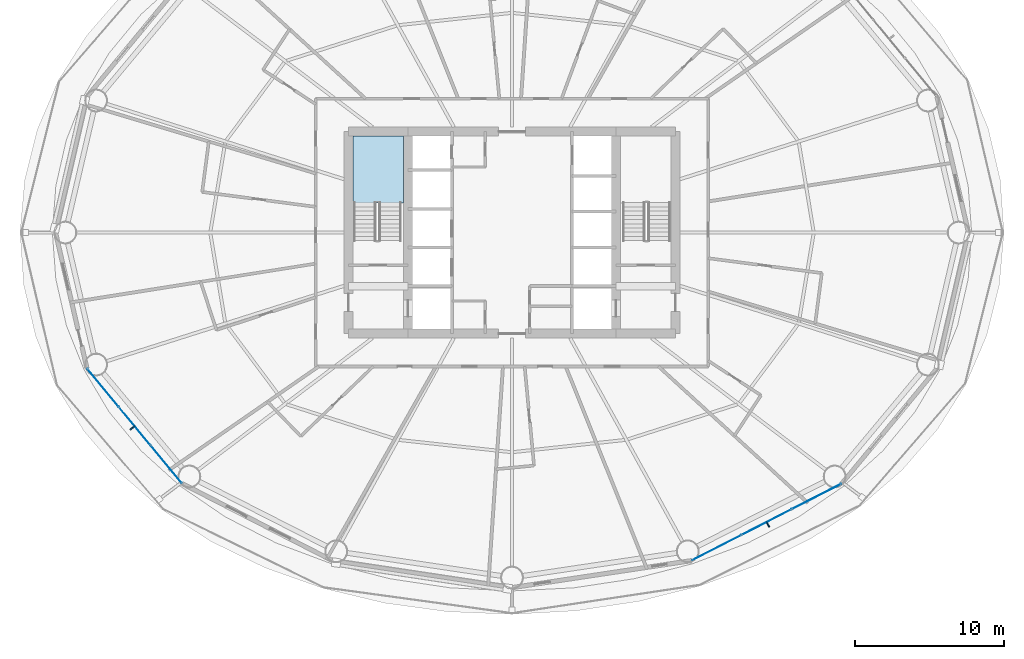
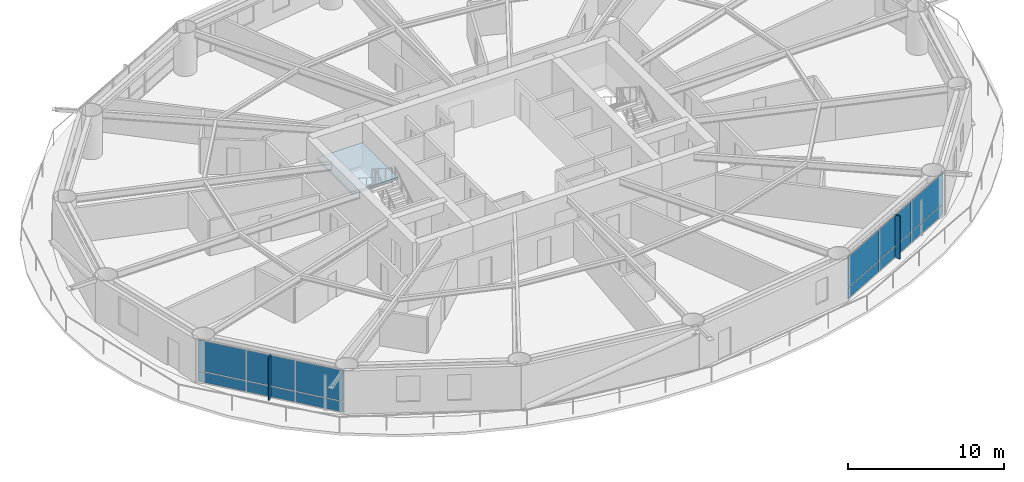
# One storey, part 18 of 28: 14 plates, 1 slab, 3 elements without a shape of their own.
"""IFC4 building model written with IfcOpenShell, lengths in metres."""

from ifc_helpers import new_model, si_unit, direction, frame, origin, origin_2d, place, context, subcontext, project, spatial, polyline, rectangle, outline, extrude, material, layer, layer_set, type_object, element, aggregate, save


model = new_model("IFC4")

# Units and contexts
model_context = context("Model", 3, precision=1e-05, world=origin(), true_north=direction((0.0, 1.0)))
body_context = subcontext(model_context, "Body", "Model", "MODEL_VIEW")
ifc_project = project(units=[si_unit("LENGTHUNIT", "METRE"), si_unit("AREAUNIT", "SQUARE_METRE"), si_unit("VOLUMEUNIT", "CUBIC_METRE"), si_unit("PLANEANGLEUNIT", "RADIAN"), si_unit("MASSUNIT", "GRAM", prefix="KILO")], contexts=[model_context])

# Site, building, storey
site_placement = place(None, origin())
site = spatial("IfcSite", under=ifc_project, at=site_placement, CompositionType="ELEMENT")
building_placement = place(site_placement, origin())
building = spatial("IfcBuilding", under=site, at=building_placement, Name="Sarneth Arch Tower", CompositionType="ELEMENT")
storey_placement = place(building_placement, frame((0.0, 0.0, 67.800048828125)))
storey = spatial("IfcBuildingStorey", under=building, at=storey_placement, Name="L16", CompositionType="ELEMENT", Elevation=67.800048828125)

# Curtain wall, plates
ifc_material_1 = material(Name="Anodised aluminium Type AA25 and solar-control low-e laminated IGU", Category="aluminium")
ifc_layer_1 = layer(ifc_material_1, 0.159912109375)
ifc_layer_set_1 = layer_set([ifc_layer_1], Name="Anodised aluminium Type AA25 and solar-control low-e laminated IGU")
curtain_wall_type = type_object("IfcCurtainWallType", Name="CW-HOTEL-LOW", PredefinedType="NOTDEFINED", material=ifc_layer_set_1)
curtain_wall_1_placement = place(storey_placement, origin())
curtain_wall_1 = element("IfcCurtainWall", 1, at=curtain_wall_1_placement, inside=storey, type_object=curtain_wall_type, Name="L16 Unitised curtain wall facet 10", PredefinedType="NOTDEFINED")
ifc_material_2 = material(Name="Solar-control low-e laminated IGU", Category="glass")
ifc_layer_2 = layer(ifc_material_2, 0.028076171875)
ifc_layer_set_2 = layer_set([ifc_layer_2], Name="Solar-control low-e laminated IGU")
plate_type_1 = type_object("IfcPlateType", Name="CW-PANEL", PredefinedType="CURTAIN_PANEL", material=ifc_layer_set_2)
plate_1_placement = place(storey_placement, frame((20.496337890625, 31.558837890625, 0.059814453125), z_axis=(0.0, 0.0, 1.0), x_axis=(0.637291340827, -0.770622960278, 0.0)))
plate_1 = element("IfcPlate", 2, at=plate_1_placement, type_object=plate_type_1, Name="Curtain wall glazed vision pane CW-L16-F10/P00-00", PredefinedType="CURTAIN_PANEL", context=body_context, shape_type="SweptSolid", body=[
    extrude(rectangle(XDim=3.260986328125, YDim=0.028076171875, at=origin_2d()), origin(), (0.0, 0.0, 1.0), 0.81005859375),
])
plate_2_placement = place(storey_placement, frame((20.496337890625, 31.558837890625, 0.93017578125), z_axis=(0.0, 0.0, 1.0), x_axis=(0.637291340827, -0.770622960278, 0.0)))
plate_2 = element("IfcPlate", 3, at=plate_2_placement, type_object=plate_type_1, Name="Curtain wall glazed vision pane CW-L16-F10/P00-01", PredefinedType="CURTAIN_PANEL", context=body_context, shape_type="SweptSolid", body=[
    extrude(rectangle(XDim=3.260986328125, YDim=0.028076171875, at=origin_2d()), origin(), (0.0, 0.0, 1.0), 2.389892578125),
])
plate_3_placement = place(storey_placement, frame((22.62255859375, 28.98779296875, 0.059814453125), z_axis=(0.0, 0.0, 1.0), x_axis=(0.637291340827, -0.770622960278, 0.0)))
plate_3 = element("IfcPlate", 4, at=plate_3_placement, type_object=plate_type_1, Name="Curtain wall glazed vision pane CW-L16-F10/P01-00", PredefinedType="CURTAIN_PANEL", context=body_context, shape_type="SweptSolid", body=[
    extrude(rectangle(XDim=3.291015625, YDim=0.028076171875, at=origin_2d()), origin(), (0.0, 0.0, 1.0), 0.81005859375),
])
plate_4_placement = place(storey_placement, frame((22.62255859375, 28.98779296875, 0.93017578125), z_axis=(0.0, 0.0, 1.0), x_axis=(0.637291340827, -0.770622960278, 0.0)))
plate_4 = element("IfcPlate", 5, at=plate_4_placement, type_object=plate_type_1, Name="Curtain wall glazed vision pane CW-L16-F10/P01-01", PredefinedType="CURTAIN_PANEL", context=body_context, shape_type="SweptSolid", body=[
    extrude(rectangle(XDim=3.291015625, YDim=0.028076171875, at=origin_2d()), origin(), (0.0, 0.0, 1.0), 2.389892578125),
])
plate_5_placement = place(storey_placement, frame((24.74853515625, 26.4169921875, 0.059814453125), z_axis=(0.0, 0.0, 1.0), x_axis=(0.637291340827, -0.770622960278, 0.0)))
plate_5 = element("IfcPlate", 6, at=plate_5_placement, type_object=plate_type_1, Name="Curtain wall glazed vision pane CW-L16-F10/P02-00", PredefinedType="CURTAIN_PANEL", context=body_context, shape_type="SweptSolid", body=[
    extrude(rectangle(XDim=3.260986328125, YDim=0.028076171875, at=origin_2d()), origin(), (0.0, 0.0, 1.0), 0.81005859375),
])
plate_6_placement = place(storey_placement, frame((24.74853515625, 26.4169921875, 0.93017578125), z_axis=(0.0, 0.0, 1.0), x_axis=(0.637291340827, -0.770622960278, 0.0)))
plate_6 = element("IfcPlate", 7, at=plate_6_placement, type_object=plate_type_1, Name="Curtain wall glazed vision pane CW-L16-F10/P02-01", PredefinedType="CURTAIN_PANEL", context=body_context, shape_type="SweptSolid", body=[
    extrude(rectangle(XDim=3.260986328125, YDim=0.028076171875, at=origin_2d()), origin(), (0.0, 0.0, 1.0), 2.389892578125),
])
aggregate(curtain_wall_1, [plate_1, plate_2, plate_3, plate_4, plate_5, plate_6])

curtain_wall_2_placement = place(storey_placement, origin())
curtain_wall_2 = element("IfcCurtainWall", 8, at=curtain_wall_2_placement, inside=storey, type_object=curtain_wall_type, Name="L16 Unitised curtain wall facet 14", PredefinedType="NOTDEFINED")
plate_7_placement = place(storey_placement, frame((61.77392578125, 20.807373046875, 0.059814453125), z_axis=(0.0, 0.0, 1.0), x_axis=(0.889854100456, 0.456245197127, 0.0)))
plate_7 = element("IfcPlate", 9, at=plate_7_placement, type_object=plate_type_1, Name="Curtain wall glazed vision pane CW-L16-F14/P00-00", PredefinedType="CURTAIN_PANEL", context=body_context, shape_type="SweptSolid", body=[
    extrude(rectangle(XDim=3.69189453125, YDim=0.028076171875, at=origin_2d()), origin(), (0.0, 0.0, 1.0), 0.81005859375),
])
plate_8_placement = place(storey_placement, frame((61.77392578125, 20.807373046875, 0.93017578125), z_axis=(0.0, 0.0, 1.0), x_axis=(0.889854100456, 0.456245197127, 0.0)))
plate_8 = element("IfcPlate", 10, at=plate_8_placement, type_object=plate_type_1, Name="Curtain wall glazed vision pane CW-L16-F14/P00-01", PredefinedType="CURTAIN_PANEL", context=body_context, shape_type="SweptSolid", body=[
    extrude(rectangle(XDim=3.69189453125, YDim=0.028076171875, at=origin_2d()), origin(), (0.0, 0.0, 1.0), 2.389892578125),
])
plate_9_placement = place(storey_placement, frame((65.1259765625, 22.526123046875, 0.059814453125), z_axis=(0.0, 0.0, 1.0), x_axis=(0.889854100456, 0.456245197127, 0.0)))
plate_9 = element("IfcPlate", 11, at=plate_9_placement, type_object=plate_type_1, Name="Curtain wall glazed vision pane CW-L16-F14/P01-00", PredefinedType="CURTAIN_PANEL", context=body_context, shape_type="SweptSolid", body=[
    extrude(rectangle(XDim=3.721923828125, YDim=0.028076171875, at=origin_2d()), origin(), (0.0, 0.0, 1.0), 0.81005859375),
])
plate_10_placement = place(storey_placement, frame((65.1259765625, 22.526123046875, 0.93017578125), z_axis=(0.0, 0.0, 1.0), x_axis=(0.889854100456, 0.456245197127, 0.0)))
plate_10 = element("IfcPlate", 12, at=plate_10_placement, type_object=plate_type_1, Name="Curtain wall glazed vision pane CW-L16-F14/P01-01", PredefinedType="CURTAIN_PANEL", context=body_context, shape_type="SweptSolid", body=[
    extrude(rectangle(XDim=3.721923828125, YDim=0.028076171875, at=origin_2d()), origin(), (0.0, 0.0, 1.0), 2.389892578125),
])
plate_11_placement = place(storey_placement, frame((68.47802734375, 24.24462890625, 0.059814453125), z_axis=(0.0, 0.0, 1.0), x_axis=(0.889854100456, 0.456245197127, 0.0)))
plate_11 = element("IfcPlate", 13, at=plate_11_placement, type_object=plate_type_1, Name="Curtain wall glazed vision pane CW-L16-F14/P02-00", PredefinedType="CURTAIN_PANEL", context=body_context, shape_type="SweptSolid", body=[
    extrude(rectangle(XDim=3.69189453125, YDim=0.028076171875, at=origin_2d()), origin(), (0.0, 0.0, 1.0), 0.81005859375),
])
plate_12_placement = place(storey_placement, frame((68.47802734375, 24.24462890625, 0.93017578125), z_axis=(0.0, 0.0, 1.0), x_axis=(0.889854100456, 0.456245197127, 0.0)))
plate_12 = element("IfcPlate", 14, at=plate_12_placement, type_object=plate_type_1, Name="Curtain wall glazed vision pane CW-L16-F14/P02-01", PredefinedType="CURTAIN_PANEL", context=body_context, shape_type="SweptSolid", body=[
    extrude(rectangle(XDim=3.69189453125, YDim=0.028076171875, at=origin_2d()), origin(), (0.0, 0.0, 1.0), 2.389892578125),
])
aggregate(curtain_wall_2, [plate_7, plate_8, plate_9, plate_10, plate_11, plate_12])

# Plates
ifc_material_3 = material(Name="Extruded glazed terracotta baguette fin on Aluminium 6063-T6 carrier", Category="masonry")
ifc_layer_3 = layer(ifc_material_3, 0.080078125)
ifc_layer_set_3 = layer_set([ifc_layer_3], Name="Extruded glazed terracotta baguette fin on Aluminium 6063-T6 carrier")
plate_type_2 = type_object("IfcPlateType", Name="SHADE-TERRA-FIN", PredefinedType="SHEET", material=ifc_layer_set_3)
for number, where, z_axis, x_axis, name in (
    (15, (22.491455078125, 28.879638671875, 0.009765625), (0.0, 0.0, 1.0), (-0.770624482513, -0.637289500111, 0.0), "L16 Terracotta vertical shading fin 10"),
    (16, (65.20361328125, 22.374755859375, 0.009765625), (0.0, 0.0, 1.0), (0.4563215909, -0.889814927768, 0.0), "L16 Terracotta vertical shading fin 14"),
):
    element("IfcPlate", number, at=place(storey_placement, frame(where, z_axis=z_axis, x_axis=x_axis)), inside=storey, type_object=plate_type_2, Name=name, PredefinedType="SHEET", context=body_context, shape_type="SweptSolid", body=[
        extrude(rectangle(XDim=0.419921875, YDim=0.080078125, at=origin_2d()), origin(), (0.0, 0.0, 1.0), 3.360107421875),
    ])

# Stair, slab
ifc_material_4 = material(Name="Concrete C50/60", Category="concrete")
stair_type = type_object("IfcStairType", Name="STAIR-CORE-RC", PredefinedType="HALF_TURN_STAIR", material=ifc_material_4)
stair_placement = place(storey_placement, origin())
stair = element("IfcStair", 17, at=stair_placement, inside=storey, type_object=stair_type, Name="L16 Core Exit Stair 1", PredefinedType="HALF_TURN_STAIR")
ifc_material_5 = material(Name="Concrete C50/60", Category="concrete")
ifc_layer_4 = layer(ifc_material_5, 0.199951171875)
ifc_layer_set_4 = layer_set([ifc_layer_4], Name="Concrete C50/60")
slab_type = type_object("IfcSlabType", Name="SLAB-LANDING-200", PredefinedType="LANDING", material=ifc_layer_set_4)
slab_placement = place(storey_placement, frame((0.0, 0.0, 1.599853515625)))
slab = element("IfcSlab", 18, at=slab_placement, type_object=slab_type, Name="ST-1 landing 1", PredefinedType="LANDING", context=body_context, shape_type="SweptSolid", body=[
    extrude(outline(polyline([(37.300048828125, 43.985107421875), (40.699951171875, 43.985107421875), (40.699951171875, 48.5), (37.300048828125, 48.5), (37.300048828125, 43.985107421875)])), origin(), (0.0, 0.0, 1.0), 0.2001953125),
])
aggregate(stair, [slab])

save(model, "model.ifc")
